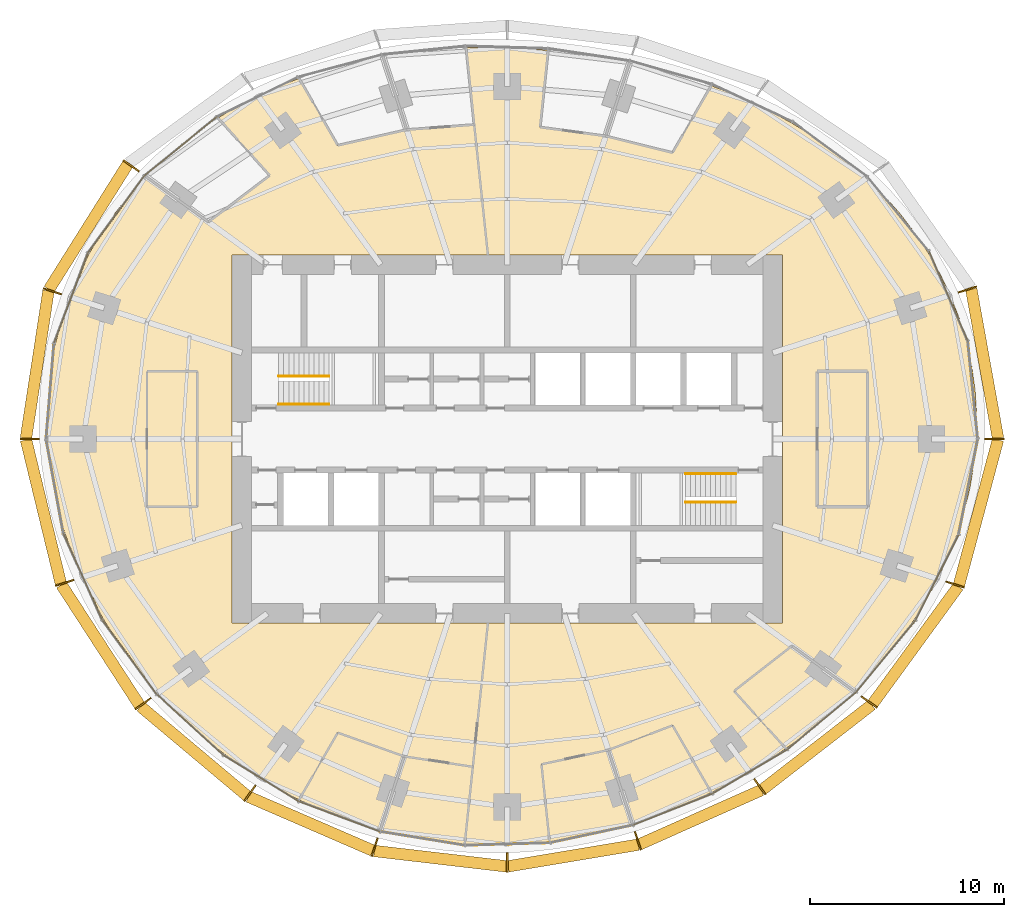
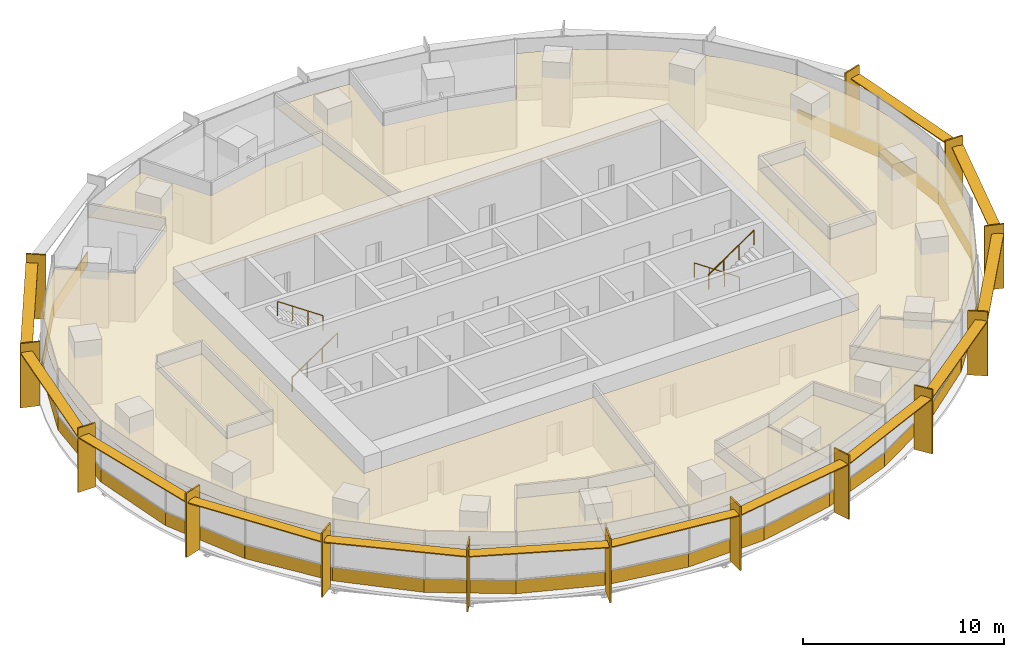
# One storey, part 14 of 15: 30 coverings, 27 shading devices, 4 railings.
"""IFC4 building model written with IfcOpenShell, lengths in metres."""

from ifc_helpers import new_model, si_unit, direction, frame, origin, origin_2d, place, context, subcontext, project, spatial, polyline, rectangle, circle, outline, extrude, material, layer, layer_set, type_object, element, save


model = new_model("IFC4")

# Units and contexts
model_context = context("Model", 3, precision=1e-05, world=origin(), true_north=direction((0.0, 1.0)))
body_context = subcontext(model_context, "Body", "Model", "MODEL_VIEW")
ifc_project = project(units=[si_unit("LENGTHUNIT", "METRE"), si_unit("AREAUNIT", "SQUARE_METRE"), si_unit("VOLUMEUNIT", "CUBIC_METRE"), si_unit("PLANEANGLEUNIT", "RADIAN"), si_unit("MASSUNIT", "GRAM", prefix="KILO")], contexts=[model_context])

# Site, building, storey
site_placement = place(None, origin())
site = spatial("IfcSite", under=ifc_project, at=site_placement, CompositionType="ELEMENT")
building_placement = place(site_placement, origin())
building = spatial("IfcBuilding", under=site, at=building_placement, Name="Marramba Exchange Tower", CompositionType="ELEMENT")
storey_placement = place(building_placement, frame((0.0, 0.0, 191.60009765625)))
storey = spatial("IfcBuildingStorey", under=building, at=storey_placement, Name="L46", CompositionType="ELEMENT", Elevation=191.60009765625)

# Shading devices
ifc_material_1 = material(Name="Aluminium blade, timber-look bronze finish", Category="wood")
ifc_layer_1 = layer(ifc_material_1, 0.080078125)
ifc_layer_set_1 = layer_set([ifc_layer_1], Name="Floor-edge blade 1000x80")
shading_device_type_1 = type_object("IfcShadingDeviceType", Name="Floor-edge blade 1000x80", PredefinedType="USERDEFINED", material=ifc_layer_set_1)
for number, where, z_axis, x_axis, name in (
    (1, (25.14404296875, 0.0, -0.16015625), (0.0, 0.0, 1.0), (1.0, 0.0, 0.0), "Floor-edge blade FB1 L46 TC01"),
    (2, (23.757080078125, 7.718994140625, -0.16015625), (0.0, 0.0, 1.0), (0.951056516295, 0.309016994375, 0.0), "Floor-edge blade FB1 L46 TC02"),
    (3, (-19.4140625, 14.105224609375, -0.16015625), (0.0, 0.0, 1.0), (-0.809016994375, 0.587785252292, 0.0), "Floor-edge blade FB1 L46 TC09"),
    (4, (-23.488525390625, 7.6318359375, -0.16015625), (0.0, 0.0, 1.0), (-0.951056516295, 0.309016994375, 0.0), "Floor-edge blade FB1 L46 TC10"),
    (5, (-24.656005859375, 0.0, -0.16015625), (0.0, 0.0, 1.0), (-1.0, 0.0, 0.0), "Floor-edge blade FB1 L46 TC11"),
    (6, (-22.848876953125, -7.424072265625, -0.16015625), (0.0, 0.0, 1.0), (-0.951056516295, -0.309016994375, 0.0), "Floor-edge blade FB1 L46 TC12"),
    (7, (-18.7998046875, -13.658935546875, -0.16015625), (0.0, 0.0, 1.0), (-0.809016994375, -0.587785252292, 0.0), "Floor-edge blade FB1 L46 TC13"),
    (8, (-13.2841796875, -18.2841796875, -0.16015625), (0.0, 0.0, 1.0), (-0.587785252292, -0.809016994375, 0.0), "Floor-edge blade FB1 L46 TC14"),
    (9, (-6.845703125, -21.069091796875, -0.16015625), (0.0, 0.0, 1.0), (-0.309016994375, -0.951056516295, 0.0), "Floor-edge blade FB1 L46 TC15"),
    (10, (0.0, -21.86376953125, -0.16015625), (0.0, 0.0, 1.0), (0.0, -1.0, 0.0), "Floor-edge blade FB1 L46 TC16"),
    (11, (6.739501953125, -20.741943359375, -0.16015625), (0.0, 0.0, 1.0), (0.309016994375, -0.951056516295, 0.0), "Floor-edge blade FB1 L46 TC17"),
    (12, (13.0380859375, -17.9453125, -0.16015625), (0.0, 0.0, 1.0), (0.587785252292, -0.809016994375, 0.0), "Floor-edge blade FB1 L46 TC18"),
    (13, (18.6845703125, -13.5751953125, -0.16015625), (0.0, 0.0, 1.0), (0.809016994375, -0.587785252292, 0.0), "Floor-edge blade FB1 L46 TC19"),
    (14, (23.1171875, -7.51123046875, -0.16015625), (0.0, 0.0, 1.0), (0.951056516295, -0.309016994375, 0.0), "Floor-edge blade FB1 L46 TC20"),
):
    element("IfcShadingDevice", number, at=place(storey_placement, frame(where, z_axis=z_axis, x_axis=x_axis)), inside=storey, type_object=shading_device_type_1, Name=name, ObjectType="FIN", PredefinedType="USERDEFINED", context=body_context, shape_type="SweptSolid", body=[
        extrude(rectangle(XDim=1.0, YDim=0.080078125, at=origin_2d()), origin(), (0.0, 0.0, 1.0), 3.89990234375),
    ])
ifc_material_2 = material(Name="Aluminium sunshade, bronze anodised", Category="aluminium")
ifc_layer_2 = layer(ifc_material_2, 0.06005859375)
ifc_layer_set_2 = layer_set([ifc_layer_2], Name="SUNSHADE blade 600x60")
shading_device_type_2 = type_object("IfcShadingDeviceType", Name="SUNSHADE blade 600x60", PredefinedType="USERDEFINED", material=ifc_layer_set_2)
shading_device_1_placement = place(storey_placement, frame((24.6455078125, 3.890380859375, 3.159912109375), z_axis=(0.0, 0.0, 1.0), x_axis=(-0.176690623809, 0.984266439262, 0.0)))
element("IfcShadingDevice", 15, at=shading_device_1_placement, inside=storey, type_object=shading_device_type_2, Name="Sunshade SS1 L46 bay 01", ObjectType="SUNSHADE", PredefinedType="USERDEFINED", context=body_context, shape_type="SweptSolid", body=[
    extrude(rectangle(XDim=7.8251953125, YDim=0.60009765625, at=origin_2d()), origin(), (0.0, 0.0, 1.0), 0.06005859375),
])
shading_device_2_placement = place(storey_placement, frame((-21.62744140625, 10.958251953125, 3.159912109375), z_axis=(0.0, 0.0, 1.0), x_axis=(-0.532082259983, -0.846692664792, 0.0)))
element("IfcShadingDevice", 16, at=shading_device_2_placement, inside=storey, type_object=shading_device_type_2, Name="Sunshade SS1 L46 bay 09", ObjectType="SUNSHADE", PredefinedType="USERDEFINED", context=body_context, shape_type="SweptSolid", body=[
    extrude(rectangle(XDim=7.631103515625, YDim=0.60009765625, at=origin_2d()), origin(), (0.0, 0.0, 1.0), 0.06005859375),
])
shading_device_3_placement = place(storey_placement, frame((-24.267333984375, 3.846923828125, 3.159912109375), z_axis=(0.0, 0.0, 1.0), x_axis=(-0.151240669327, -0.988496970123, 0.0)))
element("IfcShadingDevice", 17, at=shading_device_3_placement, inside=storey, type_object=shading_device_type_2, Name="Sunshade SS1 L46 bay 10", ObjectType="SUNSHADE", PredefinedType="USERDEFINED", context=body_context, shape_type="SweptSolid", body=[
    extrude(rectangle(XDim=7.703369140625, YDim=0.60009765625, at=origin_2d()), origin(), (0.0, 0.0, 1.0), 0.06005859375),
])
shading_device_4_placement = place(storey_placement, frame((-23.947509765625, -3.742919921875, 3.159912109375), z_axis=(0.0, 0.0, 1.0), x_axis=(0.235861488454, -0.971786683519, 0.0)))
element("IfcShadingDevice", 18, at=shading_device_4_placement, inside=storey, type_object=shading_device_type_2, Name="Sunshade SS1 L46 bay 11", ObjectType="SUNSHADE", PredefinedType="USERDEFINED", context=body_context, shape_type="SweptSolid", body=[
    extrude(rectangle(XDim=7.623291015625, YDim=0.60009765625, at=origin_2d()), origin(), (0.0, 0.0, 1.0), 0.06005859375),
])
shading_device_5_placement = place(storey_placement, frame((-21.000244140625, -10.631103515625, 3.159912109375), z_axis=(0.0, 0.0, 1.0), x_axis=(0.543921771105, -0.839135928749, 0.0)))
element("IfcShadingDevice", 19, at=shading_device_5_placement, inside=storey, type_object=shading_device_type_2, Name="Sunshade SS1 L46 bay 12", ObjectType="SUNSHADE", PredefinedType="USERDEFINED", context=body_context, shape_type="SweptSolid", body=[
    extrude(rectangle(XDim=7.41650390625, YDim=0.60009765625, at=origin_2d()), origin(), (0.0, 0.0, 1.0), 0.06005859375),
])
shading_device_6_placement = place(storey_placement, frame((-16.181640625, -16.111083984375, 3.159912109375), z_axis=(0.0, 0.0, 1.0), x_axis=(0.765761970568, -0.643124097225, 0.0)))
element("IfcShadingDevice", 20, at=shading_device_6_placement, inside=storey, type_object=shading_device_type_2, Name="Sunshade SS1 L46 bay 13", ObjectType="SUNSHADE", PredefinedType="USERDEFINED", context=body_context, shape_type="SweptSolid", body=[
    extrude(rectangle(XDim=7.1806640625, YDim=0.60009765625, at=origin_2d()), origin(), (0.0, 0.0, 1.0), 0.06005859375),
])
shading_device_7_placement = place(storey_placement, frame((-10.154541015625, -19.8525390625, 3.159912109375), z_axis=(0.0, 0.0, 1.0), x_axis=(0.917589256742, -0.397529817639, 0.0)))
element("IfcShadingDevice", 21, at=shading_device_7_placement, inside=storey, type_object=shading_device_type_2, Name="Sunshade SS1 L46 bay 14", ObjectType="SUNSHADE", PredefinedType="USERDEFINED", context=body_context, shape_type="SweptSolid", body=[
    extrude(rectangle(XDim=6.997314453125, YDim=0.60009765625, at=origin_2d()), origin(), (0.0, 0.0, 1.0), 0.06005859375),
])
shading_device_8_placement = place(storey_placement, frame((-3.453857421875, -21.66162109375, 3.159912109375), z_axis=(0.0, 0.0, 1.0), x_axis=(0.993288257497, -0.1156651958, 0.0)))
element("IfcShadingDevice", 22, at=shading_device_8_placement, inside=storey, type_object=shading_device_type_2, Name="Sunshade SS1 L46 bay 15", ObjectType="SUNSHADE", PredefinedType="USERDEFINED", context=body_context, shape_type="SweptSolid", body=[
    extrude(rectangle(XDim=6.874267578125, YDim=0.60009765625, at=origin_2d()), origin(), (0.0, 0.0, 1.0), 0.06005859375),
])
shading_device_9_placement = place(storey_placement, frame((3.400634765625, -21.498046875, 3.159912109375), z_axis=(0.0, 0.0, 1.0), x_axis=(0.986439622954, 0.164124557168, 0.0)))
element("IfcShadingDevice", 23, at=shading_device_9_placement, inside=storey, type_object=shading_device_type_2, Name="Sunshade SS1 L46 bay 16", ObjectType="SUNSHADE", PredefinedType="USERDEFINED", context=body_context, shape_type="SweptSolid", body=[
    extrude(rectangle(XDim=6.814697265625, YDim=0.60009765625, at=origin_2d()), origin(), (0.0, 0.0, 1.0), 0.06005859375),
])
shading_device_10_placement = place(storey_placement, frame((9.978515625, -19.519775390625, 3.159912109375), z_axis=(0.0, 0.0, 1.0), x_axis=(0.913771678576, 0.406228161792, 0.0)))
element("IfcShadingDevice", 24, at=shading_device_10_placement, inside=storey, type_object=shading_device_type_2, Name="Sunshade SS1 L46 bay 17", ObjectType="SUNSHADE", PredefinedType="USERDEFINED", context=body_context, shape_type="SweptSolid", body=[
    extrude(rectangle(XDim=6.8740234375, YDim=0.60009765625, at=origin_2d()), origin(), (0.0, 0.0, 1.0), 0.06005859375),
])
shading_device_11_placement = place(storey_placement, frame((16.0009765625, -15.89990234375, 3.159912109375), z_axis=(0.0, 0.0, 1.0), x_axis=(0.790133082515, 0.612935324414, 0.0)))
element("IfcShadingDevice", 25, at=shading_device_11_placement, inside=storey, type_object=shading_device_type_2, Name="Sunshade SS1 L46 bay 18", ObjectType="SUNSHADE", PredefinedType="USERDEFINED", context=body_context, shape_type="SweptSolid", body=[
    extrude(rectangle(XDim=7.122314453125, YDim=0.60009765625, at=origin_2d()), origin(), (0.0, 0.0, 1.0), 0.06005859375),
])
shading_device_12_placement = place(storey_placement, frame((21.076904296875, -10.6328125, 3.159912109375), z_axis=(0.0, 0.0, 1.0), x_axis=(0.589071758439, 0.808080728275, 0.0)))
element("IfcShadingDevice", 26, at=shading_device_12_placement, inside=storey, type_object=shading_device_type_2, Name="Sunshade SS1 L46 bay 19", ObjectType="SUNSHADE", PredefinedType="USERDEFINED", context=body_context, shape_type="SweptSolid", body=[
    extrude(rectangle(XDim=7.4931640625, YDim=0.60009765625, at=origin_2d()), origin(), (0.0, 0.0, 1.0), 0.06005859375),
])
shading_device_13_placement = place(storey_placement, frame((24.32568359375, -3.78662109375, 3.159912109375), z_axis=(0.0, 0.0, 1.0), x_axis=(0.259692365654, 0.965691397508, 0.0)))
element("IfcShadingDevice", 27, at=shading_device_13_placement, inside=storey, type_object=shading_device_type_2, Name="Sunshade SS1 L46 bay 20", ObjectType="SUNSHADE", PredefinedType="USERDEFINED", context=body_context, shape_type="SweptSolid", body=[
    extrude(rectangle(XDim=7.76220703125, YDim=0.60009765625, at=origin_2d()), origin(), (0.0, 0.0, 1.0), 0.06005859375),
])

# Coverings
ifc_material_3 = material(Name="Aluminium spandrel panel, bronze anodised, insulated", Category="aluminium")
ifc_layer_3 = layer(ifc_material_3, 0.050048828125)
ifc_layer_set_3 = layer_set([ifc_layer_3], Name="Spandrel panel 800")
covering_type_1 = type_object("IfcCoveringType", Name="Spandrel panel 800", PredefinedType="CLADDING", material=ifc_layer_set_3)
covering_1_placement = place(storey_placement, frame((24.036376953125, 2.527099609375, 0.0), z_axis=(0.0, 0.0, 1.0), x_axis=(-0.101422478545, 0.994843445395, 0.0)))
element("IfcCovering", 28, at=covering_1_placement, inside=storey, type_object=covering_type_1, Name="Spandrel panel SP1 L46 F01", PredefinedType="CLADDING", context=body_context, shape_type="SweptSolid", body=[
    extrude(rectangle(XDim=5.08056640625, YDim=0.050048828125, at=origin_2d()), origin(), (0.0, 0.0, 1.0), 0.800048828125),
])
covering_2_placement = place(storey_placement, frame((22.77734375, 7.374755859375, 0.0), z_axis=(0.0, 0.0, 1.0), x_axis=(-0.396193349205, 0.918167103552, 0.0)))
element("IfcCovering", 29, at=covering_2_placement, inside=storey, type_object=covering_type_1, Name="Spandrel panel SP1 L46 F02", PredefinedType="CLADDING", context=body_context, shape_type="SweptSolid", body=[
    extrude(rectangle(XDim=5.0546875, YDim=0.050048828125, at=origin_2d()), origin(), (0.0, 0.0, 1.0), 0.800048828125),
])
covering_3_placement = place(storey_placement, frame((-16.855712890625, 15.1240234375, 0.0), z_axis=(0.0, 0.0, 1.0), x_axis=(-0.776432169123, -0.630200830491, 0.0)))
element("IfcCovering", 30, at=covering_3_placement, inside=storey, type_object=covering_type_1, Name="Spandrel panel SP1 L46 F12", PredefinedType="CLADDING", context=body_context, shape_type="SweptSolid", body=[
    extrude(rectangle(XDim=4.81884765625, YDim=0.050048828125, at=origin_2d()), origin(), (0.0, 0.0, 1.0), 0.800048828125),
])
covering_4_placement = place(storey_placement, frame((-20.184326171875, 11.62060546875, 0.0), z_axis=(0.0, 0.0, 1.0), x_axis=(-0.591962919465, -0.805965198987, 0.0)))
element("IfcCovering", 31, at=covering_4_placement, inside=storey, type_object=covering_type_1, Name="Spandrel panel SP1 L46 F13", PredefinedType="CLADDING", context=body_context, shape_type="SweptSolid", body=[
    extrude(rectangle(XDim=4.925537109375, YDim=0.050048828125, at=origin_2d()), origin(), (0.0, 0.0, 1.0), 0.800048828125),
])
covering_5_placement = place(storey_placement, frame((-22.518798828125, 7.30419921875, 0.0), z_axis=(0.0, 0.0, 1.0), x_axis=(-0.351951514464, -0.936018232443, 0.0)))
element("IfcCovering", 32, at=covering_5_placement, inside=storey, type_object=covering_type_1, Name="Spandrel panel SP1 L46 F14", PredefinedType="CLADDING", context=body_context, shape_type="SweptSolid", body=[
    extrude(rectangle(XDim=4.981689453125, YDim=0.050048828125, at=origin_2d()), origin(), (0.0, 0.0, 1.0), 0.800048828125),
])
covering_6_placement = place(storey_placement, frame((-23.600830078125, 2.486328125, 0.0), z_axis=(0.0, 0.0, 1.0), x_axis=(-0.082280881776, -0.996609179415, 0.0)))
element("IfcCovering", 33, at=covering_6_placement, inside=storey, type_object=covering_type_1, Name="Spandrel panel SP1 L46 F15", PredefinedType="CLADDING", context=body_context, shape_type="SweptSolid", body=[
    extrude(rectangle(XDim=4.98974609375, YDim=0.050048828125, at=origin_2d()), origin(), (0.0, 0.0, 1.0), 0.800048828125),
])
covering_7_placement = place(storey_placement, frame((-23.359619140625, -2.43505859375, 0.0), z_axis=(0.0, 0.0, 1.0), x_axis=(0.180327442841, -0.983606635479, 0.0)))
element("IfcCovering", 34, at=covering_7_placement, inside=storey, type_object=covering_type_1, Name="Spandrel panel SP1 L46 F16", PredefinedType="CLADDING", context=body_context, shape_type="SweptSolid", body=[
    extrude(rectangle(XDim=4.951416015625, YDim=0.050048828125, at=origin_2d()), origin(), (0.0, 0.0, 1.0), 0.800048828125),
])
covering_8_placement = place(storey_placement, frame((-21.920654296875, -7.093994140625, 0.0), z_axis=(0.0, 0.0, 1.0), x_axis=(0.407557582153, -0.913179509861, 0.0)))
element("IfcCovering", 35, at=covering_8_placement, inside=storey, type_object=covering_type_1, Name="Spandrel panel SP1 L46 F17", PredefinedType="CLADDING", context=body_context, shape_type="SweptSolid", body=[
    extrude(rectangle(XDim=4.870361328125, YDim=0.050048828125, at=origin_2d()), origin(), (0.0, 0.0, 1.0), 0.800048828125),
])
covering_9_placement = place(storey_placement, frame((-19.520263671875, -11.238525390625, 0.0), z_axis=(0.0, 0.0, 1.0), x_axis=(0.591223097085, -0.80650805915, 0.0)))
element("IfcCovering", 36, at=covering_9_placement, inside=storey, type_object=covering_type_1, Name="Spandrel panel SP1 L46 F18", PredefinedType="CLADDING", context=body_context, shape_type="SweptSolid", body=[
    extrude(rectangle(XDim=4.762939453125, YDim=0.050048828125, at=origin_2d()), origin(), (0.0, 0.0, 1.0), 0.800048828125),
])
covering_10_placement = place(storey_placement, frame((-16.396240234375, -14.73193359375, 0.0), z_axis=(0.0, 0.0, 1.0), x_axis=(0.737203259599, -0.67567103981, 0.0)))
element("IfcCovering", 37, at=covering_10_placement, inside=storey, type_object=covering_type_1, Name="Spandrel panel SP1 L46 F19", PredefinedType="CLADDING", context=body_context, shape_type="SweptSolid", body=[
    extrude(rectangle(XDim=4.65478515625, YDim=0.050048828125, at=origin_2d()), origin(), (0.0, 0.0, 1.0), 0.800048828125),
])
covering_11_placement = place(storey_placement, frame((-12.73583984375, -17.497802734375, 0.0), z_axis=(0.0, 0.0, 1.0), x_axis=(0.852301010692, -0.52305161043, 0.0)))
element("IfcCovering", 38, at=covering_11_placement, inside=storey, type_object=covering_type_1, Name="Spandrel panel SP1 L46 F20", PredefinedType="CLADDING", context=body_context, shape_type="SweptSolid", body=[
    extrude(rectangle(XDim=4.563232421875, YDim=0.050048828125, at=origin_2d()), origin(), (0.0, 0.0, 1.0), 0.800048828125),
])
covering_12_placement = place(storey_placement, frame((-8.687255859375, -19.47607421875, 0.0), z_axis=(0.0, 0.0, 1.0), x_axis=(0.936951581946, -0.349459200892, 0.0)))
element("IfcCovering", 39, at=covering_12_placement, inside=storey, type_object=covering_type_1, Name="Spandrel panel SP1 L46 F21", PredefinedType="CLADDING", context=body_context, shape_type="SweptSolid", body=[
    extrude(rectangle(XDim=4.491455078125, YDim=0.050048828125, at=origin_2d()), origin(), (0.0, 0.0, 1.0), 0.800048828125),
])
covering_13_placement = place(storey_placement, frame((-4.393798828125, -20.6181640625, 0.0), z_axis=(0.0, 0.0, 1.0), x_axis=(0.98693062179, -0.161145734582, 0.0)))
element("IfcCovering", 40, at=covering_13_placement, inside=storey, type_object=covering_type_1, Name="Spandrel panel SP1 L46 F22", PredefinedType="CLADDING", context=body_context, shape_type="SweptSolid", body=[
    extrude(rectangle(XDim=4.4365234375, YDim=0.050048828125, at=origin_2d()), origin(), (0.0, 0.0, 1.0), 0.800048828125),
])
covering_14_placement = place(storey_placement, frame((-0.0068359375, -20.9111328125, 0.0), z_axis=(0.0, 0.0, 1.0), x_axis=(0.99956791932, 0.02939344597, 0.0)))
element("IfcCovering", 41, at=covering_14_placement, inside=storey, type_object=covering_type_1, Name="Spandrel panel SP1 L46 F23", PredefinedType="CLADDING", context=body_context, shape_type="SweptSolid", body=[
    extrude(rectangle(XDim=4.3974609375, YDim=0.050048828125, at=origin_2d()), origin(), (0.0, 0.0, 1.0), 0.800048828125),
])
covering_15_placement = place(storey_placement, frame((4.333984375, -20.389892578125, 0.0), z_axis=(0.0, 0.0, 1.0), x_axis=(0.978058068956, 0.208332459664, 0.0)))
element("IfcCovering", 42, at=covering_15_placement, inside=storey, type_object=covering_type_1, Name="Spandrel panel SP1 L46 F24", PredefinedType="CLADDING", context=body_context, shape_type="SweptSolid", body=[
    extrude(rectangle(XDim=4.3818359375, YDim=0.050048828125, at=origin_2d()), origin(), (0.0, 0.0, 1.0), 0.800048828125),
])
covering_16_placement = place(storey_placement, frame((8.525390625, -19.124267578125, 0.0), z_axis=(0.0, 0.0, 1.0), x_axis=(0.93007301151, 0.367374731386, 0.0)))
element("IfcCovering", 43, at=covering_16_placement, inside=storey, type_object=covering_type_1, Name="Spandrel panel SP1 L46 F25", PredefinedType="CLADDING", context=body_context, shape_type="SweptSolid", body=[
    extrude(rectangle(XDim=4.405517578125, YDim=0.050048828125, at=origin_2d()), origin(), (0.0, 0.0, 1.0), 0.800048828125),
])
covering_17_placement = place(storey_placement, frame((12.50634765625, -17.175537109375, 0.0), z_axis=(0.0, 0.0, 1.0), x_axis=(0.861350829898, 0.508010578466, 0.0)))
element("IfcCovering", 44, at=covering_17_placement, inside=storey, type_object=covering_type_1, Name="Spandrel panel SP1 L46 F26", PredefinedType="CLADDING", context=body_context, shape_type="SweptSolid", body=[
    extrude(rectangle(XDim=4.486572265625, YDim=0.050048828125, at=origin_2d()), origin(), (0.0, 0.0, 1.0), 0.800048828125),
])
covering_18_placement = place(storey_placement, frame((16.2177734375, -14.5556640625, 0.0), z_axis=(0.0, 0.0, 1.0), x_axis=(0.768736803132, 0.639565264465, 0.0)))
element("IfcCovering", 45, at=covering_18_placement, inside=storey, type_object=covering_type_1, Name="Spandrel panel SP1 L46 F27", PredefinedType="CLADDING", context=body_context, shape_type="SweptSolid", body=[
    extrude(rectangle(XDim=4.628662109375, YDim=0.050048828125, at=origin_2d()), origin(), (0.0, 0.0, 1.0), 0.800048828125),
])
covering_19_placement = place(storey_placement, frame((19.529541015625, -11.2265625, 0.0), z_axis=(0.0, 0.0, 1.0), x_axis=(0.638149992226, 0.769912064733, 0.0)))
element("IfcCovering", 46, at=covering_19_placement, inside=storey, type_object=covering_type_1, Name="Spandrel panel SP1 L46 F28", PredefinedType="CLADDING", context=body_context, shape_type="SweptSolid", body=[
    extrude(rectangle(XDim=4.80322265625, YDim=0.050048828125, at=origin_2d()), origin(), (0.0, 0.0, 1.0), 0.800048828125),
])
covering_20_placement = place(storey_placement, frame((22.17919921875, -7.16455078125, 0.0), z_axis=(0.0, 0.0, 1.0), x_axis=(0.450673091404, 0.892689063832, 0.0)))
element("IfcCovering", 47, at=covering_20_placement, inside=storey, type_object=covering_type_1, Name="Spandrel panel SP1 L46 F29", PredefinedType="CLADDING", context=body_context, shape_type="SweptSolid", body=[
    extrude(rectangle(XDim=4.957763671875, YDim=0.050048828125, at=origin_2d()), origin(), (0.0, 0.0, 1.0), 0.800048828125),
])
covering_21_placement = place(storey_placement, frame((23.795166015625, -2.475830078125, 0.0), z_axis=(0.0, 0.0, 1.0), x_axis=(0.197495401381, 0.980303813332, 0.0)))
element("IfcCovering", 48, at=covering_21_placement, inside=storey, type_object=covering_type_1, Name="Spandrel panel SP1 L46 F30", PredefinedType="CLADDING", context=body_context, shape_type="SweptSolid", body=[
    extrude(rectangle(XDim=5.05126953125, YDim=0.050048828125, at=origin_2d()), origin(), (0.0, 0.0, 1.0), 0.800048828125),
])

# Railings
ifc_material_4 = material(Name="Stainless steel handrail", Category="steel")
railing_type = type_object("IfcRailingType", Name="Stair handrail 900", PredefinedType="HANDRAIL", material=ifc_material_4)
railing_1_placement = place(storey_placement, frame((-11.800048828125, 1.800048828125, 0.17724609375)))
element("IfcRailing", 49, at=railing_1_placement, inside=storey, type_object=railing_type, Name="Handrail HR1 ST1 L46 flight 1", PredefinedType="HANDRAIL", context=body_context, shape_type="SweptSolid", body=[
    extrude(circle(Radius=0.02392578125, at=origin_2d()), frame((0.0, 0.0, 0.8759765625), z_axis=(0.826240473404, 0.0, 0.563317565952), x_axis=(0.0, 1.0, 0.0)), (0.0, 0.0, 1.0), 3.14697265625),
    extrude(circle(Radius=0.02099609375, at=origin_2d()), origin(), (0.0, 0.0, 1.0), 0.851806640625),
    extrude(circle(Radius=0.02099609375, at=origin_2d()), frame((0.86669921875, 0.0, 0.5908203125)), (0.0, 0.0, 1.0), 0.851806640625),
    extrude(circle(Radius=0.02099609375, at=origin_2d()), frame((1.7333984375, 0.0, 1.181884765625)), (0.0, 0.0, 1.0), 0.851806640625),
    extrude(circle(Radius=0.02099609375, at=origin_2d()), frame((2.60009765625, 0.0, 1.772705078125)), (0.0, 0.0, 1.0), 0.851806640625),
])
for number, where, name in (
    (50, (-9.199951171875, 3.25, 2.127197265625), "Handrail HR1 ST1 L46 flight 2"),
    (51, (11.800048828125, -1.800048828125, 0.17724609375), "Handrail HR1 ST2 L46 flight 1"),
):
    element("IfcRailing", number, at=place(storey_placement, frame(where)), inside=storey, type_object=railing_type, Name=name, PredefinedType="HANDRAIL", context=body_context, shape_type="SweptSolid", body=[
        extrude(circle(Radius=0.02392578125, at=origin_2d()), frame((0.0, 0.0, 0.8759765625), z_axis=(-0.826240473404, 0.0, 0.563317565952), x_axis=(0.0, -1.0, 0.0)), (0.0, 0.0, 1.0), 3.14697265625),
        extrude(circle(Radius=0.02099609375, at=origin_2d()), origin(), (0.0, 0.0, 1.0), 0.851806640625),
        extrude(circle(Radius=0.02099609375, at=origin_2d()), frame((-0.86669921875, 0.0, 0.5908203125)), (0.0, 0.0, 1.0), 0.851806640625),
        extrude(circle(Radius=0.02099609375, at=origin_2d()), frame((-1.7333984375, 0.0, 1.181884765625)), (0.0, 0.0, 1.0), 0.851806640625),
        extrude(circle(Radius=0.02099609375, at=origin_2d()), frame((-2.60009765625, 0.0, 1.772705078125)), (0.0, 0.0, 1.0), 0.851806640625),
    ])
railing_2_placement = place(storey_placement, frame((9.199951171875, -3.25, 2.127197265625)))
element("IfcRailing", 52, at=railing_2_placement, inside=storey, type_object=railing_type, Name="Handrail HR1 ST2 L46 flight 2", PredefinedType="HANDRAIL", context=body_context, shape_type="SweptSolid", body=[
    extrude(circle(Radius=0.02392578125, at=origin_2d()), frame((0.0, 0.0, 0.8759765625), z_axis=(0.826240473404, 0.0, 0.563317565952), x_axis=(0.0, 1.0, 0.0)), (0.0, 0.0, 1.0), 3.14697265625),
    extrude(circle(Radius=0.02099609375, at=origin_2d()), origin(), (0.0, 0.0, 1.0), 0.851806640625),
    extrude(circle(Radius=0.02099609375, at=origin_2d()), frame((0.86669921875, 0.0, 0.5908203125)), (0.0, 0.0, 1.0), 0.851806640625),
    extrude(circle(Radius=0.02099609375, at=origin_2d()), frame((1.7333984375, 0.0, 1.181884765625)), (0.0, 0.0, 1.0), 0.851806640625),
    extrude(circle(Radius=0.02099609375, at=origin_2d()), frame((2.60009765625, 0.0, 1.772705078125)), (0.0, 0.0, 1.0), 0.851806640625),
])

# Coverings
ifc_material_5 = material(Name="Mineral fibre ceiling tiles", Category="gypsum")
ifc_layer_4 = layer(ifc_material_5, 0.02001953125)
ifc_layer_set_4 = layer_set([ifc_layer_4], Name="Suspended ceiling 20")
covering_type_2 = type_object("IfcCoveringType", Name="Suspended ceiling 20", PredefinedType="CEILING", material=ifc_layer_set_4)
covering_22_placement = place(storey_placement, frame((0.0, 0.0, 2.89990234375)))
element("IfcCovering", 53, at=covering_22_placement, inside=storey, type_object=covering_type_2, Name="Ceiling CL1 L46 Private Banking Office", PredefinedType="CEILING", context=body_context, shape_type="SweptSolid", body=[
    extrude(outline(polyline([(14.199951171875, 9.5), (-0.99853515625, 9.5), (-2.123779296875, 20.20703125), (-1.059814453125, 20.22314453125), (0.0, 20.206298828125), (1.056396484375, 20.15771484375), (2.1103515625, 20.077880859375), (1.692138671875, 16.099609375), (5.082275390625, 15.641357421875), (8.5341796875, 14.78173828125), (10.5341796875, 18.245849609375), (11.584716796875, 17.839111328125), (12.6298828125, 17.383544921875), (13.666259765625, 16.87646484375), (14.689453125, 16.314453125), (15.695068359375, 15.695068359375), (16.67724609375, 15.016357421875), (17.6298828125, 14.276611328125), (18.54638671875, 13.474853515625), (19.41943359375, 12.611083984375), (20.24169921875, 11.6865234375), (21.00537109375, 10.70263671875), (21.702880859375, 9.662841796875), (22.32763671875, 8.57080078125), (22.87255859375, 7.431640625), (23.331787109375, 6.251708984375), (23.700439453125, 5.03759765625), (23.974853515625, 3.797119140625), (24.15234375, 2.53857421875), (24.23193359375, 1.27001953125), (24.214111328125, 0.0), (24.10009765625, -1.262939453125), (23.89306640625, -2.51123046875), (23.597412109375, -3.737548828125), (23.218017578125, -4.935302734375), (22.760986328125, -6.098876953125), (22.23291015625, -7.223876953125), (21.639892578125, -8.306884765625), (20.989013671875, -9.344970703125), (20.286865234375, -10.336669921875), (19.539794921875, -11.28125), (18.753173828125, -12.178466796875), (17.93212890625, -13.028564453125), (14.696044921875, -10.677490234375), (11.708740234375, -13.00390625), (14.38525390625, -15.976318359375), (13.44677734375, -16.60546875), (12.491455078125, -17.193115234375), (11.520263671875, -17.73974609375), (10.5341796875, -18.245849609375), (8.5341796875, -14.78173828125), (5.216064453125, -16.05322265625), (1.7646484375, -16.788818359375), (2.1826171875, -20.766845703125), (1.093994140625, -20.875244140625), (0.0, -20.93359375), (-1.097412109375, -20.94091796875), (-2.1962890625, -20.89599609375), (-0.99853515625, -9.5), (14.199951171875, -9.5), (14.199951171875, 9.5)]), holes=[polyline([(16.0, -3.5), (18.60009765625, -3.5), (18.60009765625, 3.5), (16.0, 3.5), (16.0, -3.5)])]), origin(), (0.0, 0.0, 1.0), 0.02001953125),
])
covering_23_placement = place(storey_placement, frame((0.0, 0.0, 2.89990234375)))
element("IfcCovering", 54, at=covering_23_placement, inside=storey, type_object=covering_type_2, Name="Ceiling CL1 L46 Wealth Advisory Office", PredefinedType="CEILING", context=body_context, shape_type="SweptSolid", body=[
    extrude(outline(polyline([(-14.199951171875, 9.5), (-14.199951171875, -9.5), (-0.99853515625, -9.5), (-1.7783203125, -16.91796875), (-5.322265625, -16.38037109375), (-8.75146484375, -15.15771484375), (-10.75146484375, -18.621826171875), (-11.755615234375, -18.101806640625), (-12.737548828125, -17.53173828125), (-13.6953125, -16.912353515625), (-14.626953125, -16.2451171875), (-15.5302734375, -15.5302734375), (-16.403076171875, -14.769287109375), (-17.242919921875, -13.962890625), (-18.04736328125, -13.1123046875), (-18.81396484375, -12.218017578125), (-19.539794921875, -11.28125), (-20.22119140625, -10.30322265625), (-20.85498046875, -9.285400390625), (-21.4375, -8.22900390625), (-21.96435546875, -7.13671875), (-22.431640625, -6.010498046875), (-22.8349609375, -4.853759765625), (-23.169921875, -3.669677734375), (-23.432373046875, -2.462890625), (-23.618896484375, -1.23779296875), (-23.72607421875, 0.0), (-23.7509765625, 1.24462890625), (-23.691650390625, 2.489990234375), (-23.547119140625, 3.7294921875), (-23.317138671875, 4.956298828125), (-23.002197265625, 6.163330078125), (-22.604248046875, 7.344482421875), (-22.125244140625, 8.4931640625), (-21.569091796875, 9.603271484375), (-20.939697265625, 10.669189453125), (-20.24169921875, 11.6865234375), (-19.48046875, 12.650634765625), (-18.66162109375, 13.55859375), (-15.425537109375, 11.20751953125), (-12.2548828125, 13.6103515625), (-14.931396484375, 16.5830078125), (-13.914794921875, 17.183349609375), (-12.8759765625, 17.722412109375), (-11.820068359375, 18.201171875), (-10.75146484375, 18.621826171875), (-8.75146484375, 15.15771484375), (-5.1884765625, 15.96875), (-1.705810546875, 16.22900390625), (-1.177001953125, 11.198486328125), (-0.99853515625, 9.5), (-14.199951171875, 9.5)]), holes=[polyline([(-18.60009765625, 3.5), (-18.60009765625, -3.5), (-16.0, -3.5), (-16.0, 3.5), (-18.60009765625, 3.5)])]), origin(), (0.0, 0.0, 1.0), 0.02001953125),
])
covering_24_placement = place(storey_placement, frame((0.0, 0.0, 2.89990234375)))
element("IfcCovering", 55, at=covering_24_placement, inside=storey, type_object=covering_type_2, Name="Ceiling CL1 L46 Office 6", PredefinedType="CEILING", context=body_context, shape_type="SweptSolid", body=[
    extrude(outline(polyline([(-7.438720703125, -19.92822265625), (-7.62841796875, -19.873046875), (-8.685546875, -19.50830078125), (-9.6787109375, -19.110595703125), (-9.727294921875, -19.091064453125), (-10.75146484375, -18.621826171875), (-8.75146484375, -15.15771484375), (-5.322265625, -16.38037109375), (-6.558349609375, -20.184814453125), (-7.438720703125, -19.92822265625)])), origin(), (0.0, 0.0, 1.0), 0.02001953125),
])
covering_25_placement = place(storey_placement, frame((0.0, 0.0, 2.89990234375)))
element("IfcCovering", 56, at=covering_25_placement, inside=storey, type_object=covering_type_2, Name="Ceiling CL1 L46 Office 7", PredefinedType="CEILING", context=body_context, shape_type="SweptSolid", body=[
    extrude(outline(polyline([(-5.477783203125, -20.44287109375), (-6.558349609375, -20.184814453125), (-5.322265625, -16.38037109375), (-1.7783203125, -16.91796875), (-2.1962890625, -20.89599609375), (-3.294189453125, -20.79833984375), (-3.888671875, -20.71630859375), (-4.388916015625, -20.6474609375), (-5.477783203125, -20.44287109375)])), origin(), (0.0, 0.0, 1.0), 0.02001953125),
])
covering_26_placement = place(storey_placement, frame((0.0, 0.0, 2.89990234375)))
element("IfcCovering", 57, at=covering_26_placement, inside=storey, type_object=covering_type_2, Name="Ceiling CL1 L46 Office 8", PredefinedType="CEILING", context=body_context, shape_type="SweptSolid", body=[
    extrude(outline(polyline([(5.411865234375, -20.150146484375), (5.400146484375, -20.153564453125), (5.36865234375, -20.160888671875), (4.337158203125, -20.404541015625), (3.26416015625, -20.609619140625), (2.946533203125, -20.65576171875), (2.1826171875, -20.766845703125), (1.7646484375, -16.788818359375), (5.216064453125, -16.05322265625), (6.4521484375, -19.857421875), (5.411865234375, -20.150146484375)])), origin(), (0.0, 0.0, 1.0), 0.02001953125),
])
covering_27_placement = place(storey_placement, frame((0.0, 0.0, 2.89990234375)))
element("IfcCovering", 58, at=covering_27_placement, inside=storey, type_object=covering_type_2, Name="Ceiling CL1 L46 Office 9", PredefinedType="CEILING", context=body_context, shape_type="SweptSolid", body=[
    extrude(outline(polyline([(9.53369140625, -18.711181640625), (8.51953125, -19.13525390625), (7.4921875, -19.517578125), (7.01025390625, -19.675048828125), (6.4521484375, -19.857421875), (5.216064453125, -16.05322265625), (8.5341796875, -14.78173828125), (10.5341796875, -18.245849609375), (9.53369140625, -18.711181640625)])), origin(), (0.0, 0.0, 1.0), 0.02001953125),
])
covering_28_placement = place(storey_placement, frame((0.0, 0.0, 2.89990234375)))
element("IfcCovering", 59, at=covering_28_placement, inside=storey, type_object=covering_type_2, Name="Ceiling CL1 L46 Office 10", PredefinedType="CEILING", context=body_context, shape_type="SweptSolid", body=[
    extrude(outline(polyline([(17.08154296875, -13.832275390625), (16.705810546875, -14.157470703125), (16.204833984375, -14.5908203125), (15.30517578125, -15.30517578125), (14.38525390625, -15.976318359375), (11.708740234375, -13.00390625), (14.696044921875, -10.677490234375), (17.93212890625, -13.028564453125), (17.08154296875, -13.832275390625)])), origin(), (0.0, 0.0, 1.0), 0.02001953125),
])
covering_29_placement = place(storey_placement, frame((0.0, 0.0, 2.89990234375)))
element("IfcCovering", 60, at=covering_29_placement, inside=storey, type_object=covering_type_2, Name="Ceiling CL1 L46 Meeting Room", PredefinedType="CEILING", context=body_context, shape_type="SweptSolid", body=[
    extrude(outline(polyline([(18.60009765625, -3.5), (16.0, -3.5), (16.0, 3.5), (18.60009765625, 3.5), (18.60009765625, -3.5)])), origin(), (0.0, 0.0, 1.0), 0.02001953125),
])
covering_30_placement = place(storey_placement, frame((0.0, 0.0, 2.89990234375)))
element("IfcCovering", 61, at=covering_30_placement, inside=storey, type_object=covering_type_2, Name="Ceiling CL1 L46 Pantry", PredefinedType="CEILING", context=body_context, shape_type="SweptSolid", body=[
    extrude(outline(polyline([(-16.0, -3.5), (-18.60009765625, -3.5), (-18.60009765625, 3.5), (-16.0, 3.5), (-16.0, -3.5)])), origin(), (0.0, 0.0, 1.0), 0.02001953125),
])

save(model, "model.ifc")
